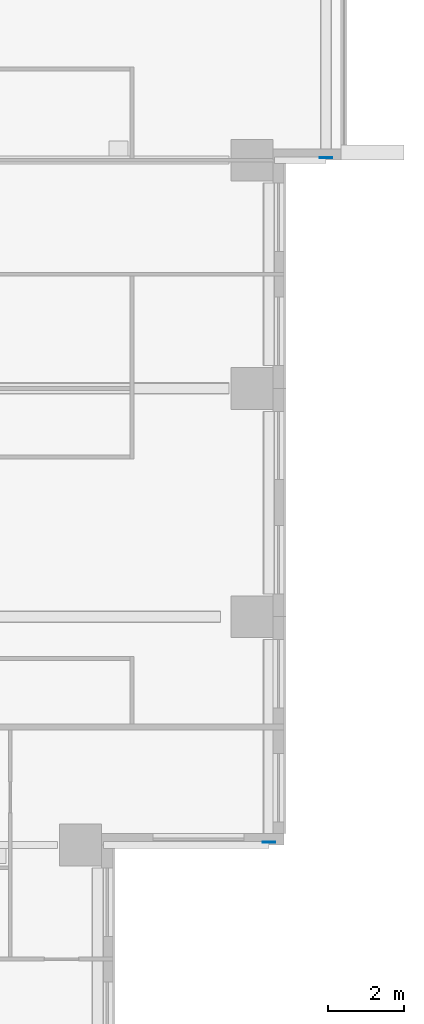
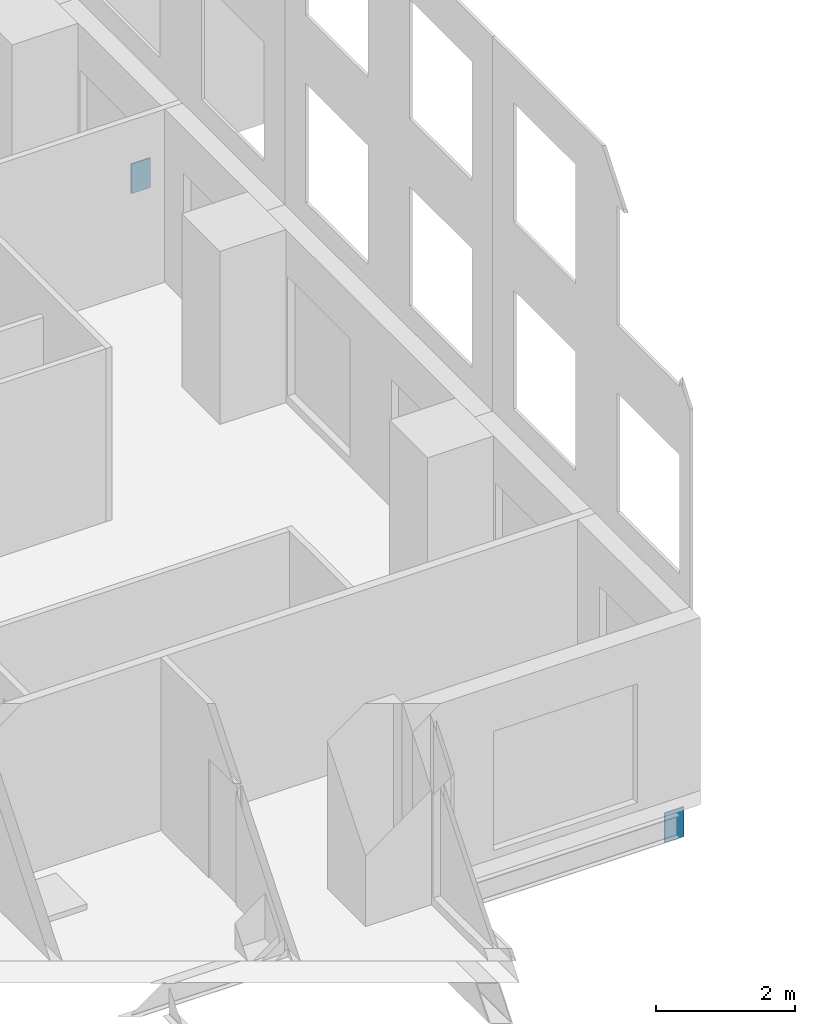
# One storey, part 10 of 13: 2 discrete accessories.
"""IFC4 building model written with IfcOpenShell, lengths in metres."""

from ifc_helpers import new_model, si_unit, direction, frame, origin, origin_2d, place, context, subcontext, project, spatial, rectangle, extrude, element, save


model = new_model("IFC4")

# Units and contexts
model_context = context("Model", 3, precision=1e-05, world=origin(), true_north=direction((0.0, 1.0)))
body_context = subcontext(model_context, "Body", "Model", "MODEL_VIEW")
ifc_project = project(units=[si_unit("LENGTHUNIT", "METRE"), si_unit("AREAUNIT", "SQUARE_METRE"), si_unit("VOLUMEUNIT", "CUBIC_METRE"), si_unit("PLANEANGLEUNIT", "RADIAN"), si_unit("MASSUNIT", "GRAM", prefix="KILO")], contexts=[model_context])

# Site, building, storey
site_placement = place(None, origin())
site = spatial("IfcSite", under=ifc_project, at=site_placement, CompositionType="ELEMENT")
building_placement = place(site_placement, origin())
building = spatial("IfcBuilding", under=site, at=building_placement, Name="Amberfall Residences", CompositionType="ELEMENT")
storey_placement = place(building_placement, frame((0.0, 0.0, 78.699951171875)))
storey = spatial("IfcBuildingStorey", under=building, at=storey_placement, Name="L20", CompositionType="ELEMENT", Elevation=78.699951171875)

# Discrete accessories
for number, where, z_axis, x_axis, name in (
    (1, (98.10009765625, 36.467529296875, -0.760009765625), (0.0, 0.0, 1.0), (0.0, -1.0, 0.0), "End cap plate L20"),
    (2, (99.60009765625, 54.467529296875, -0.760009765625), (0.0, 0.0, 1.0), (0.0, -1.0, 0.0), "End cap plate L20"),
):
    element("IfcDiscreteAccessory", number, at=place(storey_placement, frame(where, z_axis=z_axis, x_axis=x_axis)), inside=storey, Name=name, PredefinedType="BRACKET", context=body_context, shape_type="SweptSolid", body=[
        extrude(rectangle(XDim=0.02490234375, YDim=0.320068359375, at=origin_2d()), origin(), (0.0, 0.0, 1.0), 0.52001953125),
    ])

save(model, "model.ifc")
